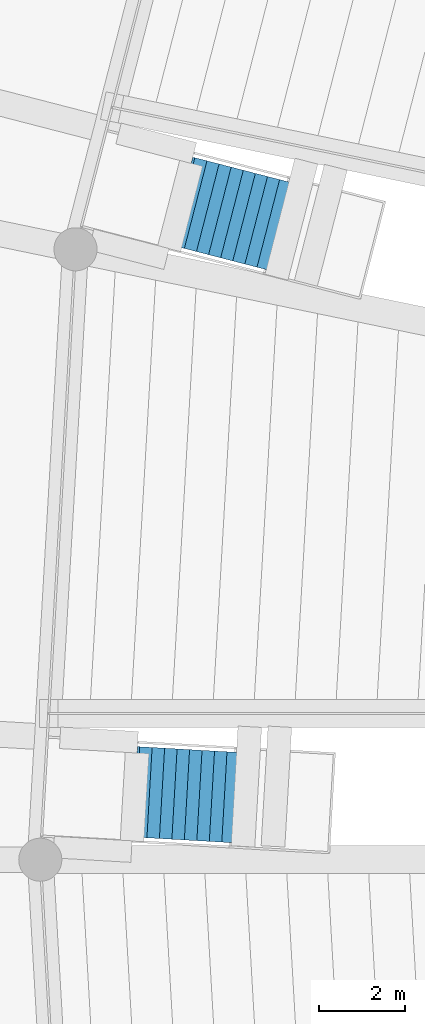
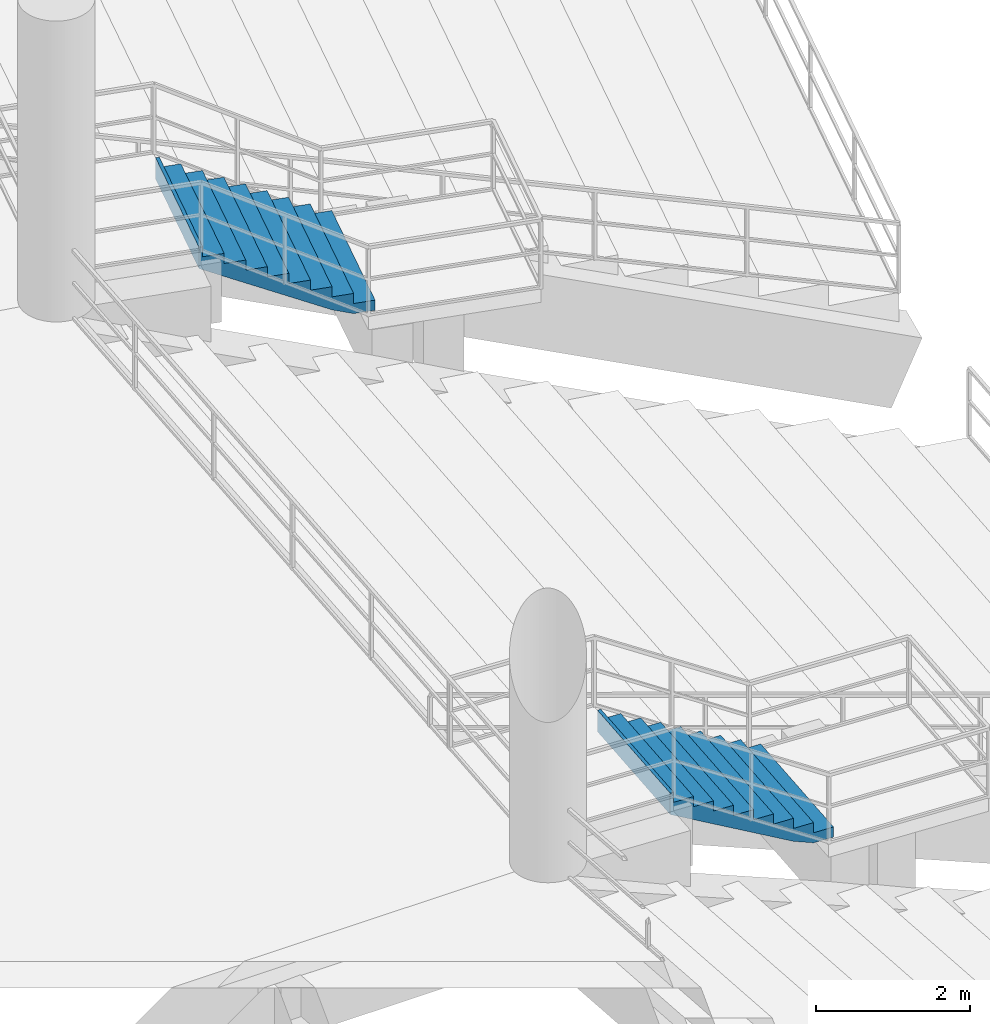
# One storey, part 124 of 156: 2 stair flights, 2 elements without a shape of their own.
"""IFC4 building model written with IfcOpenShell, lengths in metres."""

import ifcopenshell
import ifcopenshell.guid

model = None  # the IFC model being written
_history = None  # IfcOwnerHistory: only IFC2X3 demands one
_inside = {}  # id of a spatial element -> (the spatial element, [elements in it])
_under = {}  # id of a project, library or spatial element -> (it, [spatial elements below it])
_declared = {}  # id of a project -> (the project, [libraries it declares])
_typed = {}  # id of a type object -> (the type object, [elements of that type])
_made_of = {}  # id of a material, layer set ... -> (it, [elements and type objects made of it])


def new_model(schema):
    """Start an empty IFC model of exactly this schema.

    Asked for "IFC4X3", IfcOpenShell would pick the latest addendum, in which some entities
    have other attributes; the version numbers below select the first issue.
    IFC2X3 requires an IfcOwnerHistory on every rooted entity: one is made here for all.
    """
    global model, _history
    if schema == "IFC4X3":
        model = ifcopenshell.file(schema_version=(4, 3, 0, 0))
    else:
        model = ifcopenshell.file(schema=schema)
    _inside.clear()
    _under.clear()
    _declared.clear()
    _typed.clear()
    _made_of.clear()
    _history = None
    if model.schema == "IFC2X3":
        org = make("IfcOrganization", Name="unknown")
        user = make(
            "IfcPersonAndOrganization",
            ThePerson=make("IfcPerson", FamilyName="unknown"),
            TheOrganization=org,
        )
        app = make(
            "IfcApplication",
            ApplicationDeveloper=org,
            Version="unknown",
            ApplicationFullName="unknown",
            ApplicationIdentifier="unknown",
        )
        _history = make(
            "IfcOwnerHistory",
            OwningUser=user,
            OwningApplication=app,
            ChangeAction="ADDED",
            CreationDate=0,
        )
    return model


def make(cls, **values):
    """One entity of the class cls with the attributes given. An attribute that is None is left unset."""
    return model.create_entity(
        cls, **{name: value for name, value in values.items() if value is not None}
    )


def rooted(cls, **values):
    """An entity with a GlobalId (a new one), such as an element, a storey or a relation."""
    return make(cls, GlobalId=ifcopenshell.guid.new(), OwnerHistory=_history, **values)


def si_unit(unit_type, name, prefix=None):
    """IfcSIUnit, for example si_unit("LENGTHUNIT", "METRE", prefix="MILLI")."""
    return make("IfcSIUnit", UnitType=unit_type, Prefix=prefix, Name=name)


def assignment(units):
    """IfcUnitAssignment: the units of a project."""
    return None if units is None else make("IfcUnitAssignment", Units=units)


def point(xyz):
    """IfcCartesianPoint."""
    return None if xyz is None else make("IfcCartesianPoint", Coordinates=xyz)


def direction(xyz):
    """IfcDirection."""
    return None if xyz is None else make("IfcDirection", DirectionRatios=xyz)


def frame(location, z_axis=None, x_axis=None):
    """IfcAxis2Placement3D, a coordinate frame: its origin and axes. An axis left out is left unset."""
    return make(
        "IfcAxis2Placement3D",
        Location=point(location),
        Axis=direction(z_axis),
        RefDirection=direction(x_axis),
    )


def origin():
    """The frame at (0, 0, 0) with its axes left unset."""
    return frame((0.0, 0.0, 0.0))


def place(relative_to, where):
    """IfcLocalPlacement: puts the frame where relative to a parent placement (None: the world)."""
    return make(
        "IfcLocalPlacement", PlacementRelTo=relative_to, RelativePlacement=where
    )


def context(
    kind, dimensions, precision=None, world=None, true_north=None, identifier=None
):
    """IfcGeometricRepresentationContext, for example the 3D "Model" context."""
    return make(
        "IfcGeometricRepresentationContext",
        ContextIdentifier=identifier,
        ContextType=kind,
        CoordinateSpaceDimension=dimensions,
        Precision=precision,
        WorldCoordinateSystem=world,
        TrueNorth=true_north,
    )


def subcontext(parent, identifier, kind, view, scale=None):
    """IfcGeometricRepresentationSubContext, for example "Body" below "Model"."""
    return make(
        "IfcGeometricRepresentationSubContext",
        ContextIdentifier=identifier,
        ContextType=kind,
        ParentContext=parent,
        TargetScale=scale,
        TargetView=view,
    )


def project(units=None, contexts=None):
    """IfcProject with its units and contexts."""
    return rooted(
        "IfcProject",
        Name="project",
        RepresentationContexts=contexts,
        UnitsInContext=assignment(units),
    )


def spatial(cls, under=None, at=None, **own):
    """A site, building, storey or space (cls), placed at a placement, below another one or the project."""
    s = rooted(cls, ObjectPlacement=at, **own)
    if under is not None:
        _under.setdefault(under.id(), (under, []))[1].append(s)
    return s


def point_list(points):
    """IfcCartesianPointList2D or 3D."""
    cls = (
        "IfcCartesianPointList2D" if len(points[0]) == 2 else "IfcCartesianPointList3D"
    )
    return make(cls, CoordList=points)


def polygons(points, faces, closed=None, point_numbers=None):
    """IfcPolygonalFaceSet: a face is its outer loop, then its inner loops; points numbered from 1."""
    made = []
    for loops in faces:
        if len(loops) == 1:
            made.append(make("IfcIndexedPolygonalFace", CoordIndex=loops[0]))
        else:
            made.append(
                make(
                    "IfcIndexedPolygonalFaceWithVoids",
                    CoordIndex=loops[0],
                    InnerCoordIndices=loops[1:],
                )
            )
    return make(
        "IfcPolygonalFaceSet",
        Coordinates=point_list(points),
        Closed=closed,
        Faces=made,
        PnIndex=point_numbers,
    )


def shape(context_of_items, identifier, shape_type, items):
    """IfcShapeRepresentation: the items that make up one representation, for example the "Body"."""
    return make(
        "IfcShapeRepresentation",
        ContextOfItems=context_of_items,
        RepresentationIdentifier=identifier,
        RepresentationType=shape_type,
        Items=items,
    )


def material(Name=None, Category=None):
    """IfcMaterial."""
    return make("IfcMaterial", Name=Name, Category=Category)


def made_of(thing, what):
    """Note that an element or type object is made of a material, layer set ...; save() writes the relation."""
    if what is not None:
        _made_of.setdefault(what.id(), (what, []))[1].append(thing)
    return thing


def type_object(cls, material=None, **own):
    """A type object (cls), such as IfcWallType, which elements share."""
    return made_of(rooted(cls, **own), material)


def element(
    cls,
    number,
    at=None,
    inside=None,
    cuts=None,
    type_object=None,
    material=None,
    context=None,
    identifier="Body",
    shape_type=None,
    held_by="IfcProductDefinitionShape",
    body=None,
    shapes=None,
    **own,
):
    """One element of the class cls, such as IfcWall. Its Tag is "e" and its number.

    at: its placement. inside: the storey or other place that contains it. cuts: it is an
    opening in that element (IfcRelVoidsElement). A single representation is given by context,
    identifier, shape_type and body (its items); several are given by shapes. held_by: the class
    of the entity that holds the representations. save() writes the other relations.
    """
    e = rooted(cls, Tag="e%d" % number, ObjectPlacement=at, **own)
    if body is not None:
        shapes = [shape(context, identifier, shape_type, body)]
    if shapes is not None:
        e.Representation = make(held_by, Representations=shapes)
    if inside is not None:
        _inside.setdefault(inside.id(), (inside, []))[1].append(e)
    if cuts is not None:
        rooted(
            "IfcRelVoidsElement", RelatingBuildingElement=cuts, RelatedOpeningElement=e
        )
    if type_object is not None:
        _typed.setdefault(type_object.id(), (type_object, []))[1].append(e)
    return made_of(e, material)


def aggregate(whole, parts):
    """IfcRelAggregates: a whole, such as a stair, and the parts it consists of."""
    return rooted("IfcRelAggregates", RelatingObject=whole, RelatedObjects=parts)


def save(model, path):
    """Write the relations noted so far, then the file.

    IfcRelAggregates (storeys below a building ...), IfcRelContainedInSpatialStructure (elements
    in a storey), IfcRelDefinesByType, IfcRelAssociatesMaterial and IfcRelDeclares: one each for
    every whole, place, type object, material and project.
    """
    for whole, parts in _under.values():
        aggregate(whole, parts)
    for where, things in _inside.values():
        rooted(
            "IfcRelContainedInSpatialStructure",
            RelatedElements=things,
            RelatingStructure=where,
        )
    for kind, things in _typed.values():
        rooted("IfcRelDefinesByType", RelatedObjects=things, RelatingType=kind)
    for what, things in _made_of.values():
        rooted("IfcRelAssociatesMaterial", RelatedObjects=things, RelatingMaterial=what)
    for by, libraries in _declared.values():
        rooted("IfcRelDeclares", RelatingContext=by, RelatedDefinitions=libraries)
    model.write(path)


model = new_model("IFC4")

# Units and contexts
model_context = context("Model", 3, precision=1e-05, world=origin(), true_north=direction((0.0, 1.0)))
body_context = subcontext(model_context, "Body", "Model", "MODEL_VIEW")
ifc_project = project(units=[si_unit("LENGTHUNIT", "METRE"), si_unit("AREAUNIT", "SQUARE_METRE"), si_unit("VOLUMEUNIT", "CUBIC_METRE"), si_unit("PLANEANGLEUNIT", "RADIAN"), si_unit("MASSUNIT", "GRAM", prefix="KILO")], contexts=[model_context])

# Site, building, storey
site_placement = place(None, origin())
site = spatial("IfcSite", under=ifc_project, at=site_placement, CompositionType="ELEMENT")
building_placement = place(site_placement, origin())
building = spatial("IfcBuilding", under=site, at=building_placement, Name="Kazemori Nagisa Stadium", CompositionType="ELEMENT")
storey_placement = place(building_placement, frame((0.0, 0.0, 5.780029296875)))
storey = spatial("IfcBuildingStorey", under=building, at=storey_placement, Name="L01", CompositionType="ELEMENT", Elevation=5.780029296875)

# Stair, stair flight
ifc_material = material(Name="Concrete C36/45 (Fc36)", Category="concrete")
stair_type = type_object("IfcStairType", Name="Stair_VOM_VL", PredefinedType="STRAIGHT_RUN_STAIR", material=ifc_material)
stair_1_placement = place(storey_placement, origin())
stair_1 = element("IfcStair", 1, at=stair_1_placement, inside=storey, type_object=stair_type, Name="Vomitory stair lower VL05", PredefinedType="STRAIGHT_RUN_STAIR")
stair_flight_type = type_object("IfcStairFlightType", Name="Flight_VOM_VL", PredefinedType="STRAIGHT", material=ifc_material)
stair_flight_1_placement = place(storey_placement, frame((59.219970703125, 116.68896484375, -1.43994140625), z_axis=(0.0, 0.0, 1.0), x_axis=(-0.968237888229, 0.250030781701, 0.0)))
stair_flight_1 = element("IfcStairFlight", 2, at=stair_flight_1_placement, type_object=stair_flight_type, Name="Vomitory stair lower VL05 flight", NumberOfRisers=9, NumberOfTreads=8, PredefinedType="STRAIGHT", RiserHeight=0.16, TreadLength=0.29, context=body_context, shape_type="Tessellation", body=[
    polygons([(0.0, -1.050048828125, 0.0), (0.0, -1.050048828125, 0.159912109375), (0.2900390625, -1.050048828125, 0.159912109375), (0.2900390625, -1.050048828125, 0.320068359375), (0.580078125, -1.050048828125, 0.320068359375), (0.580078125, -1.050048828125, 0.47998046875), (0.8701171875, -1.050048828125, 0.47998046875), (0.8701171875, -1.050048828125, 0.639892578125), (1.159912109375, -1.050048828125, 0.639892578125), (1.159912109375, -1.050048828125, 0.800048828125), (1.449951171875, -1.050048828125, 0.800048828125), (1.449951171875, -1.050048828125, 0.9599609375), (1.739990234375, -1.050048828125, 0.9599609375), (1.739990234375, -1.050048828125, 1.1201171875), (2.030029296875, -1.050048828125, 1.1201171875), (2.030029296875, -1.050048828125, 1.280029296875), (2.320068359375, -1.050048828125, 1.280029296875), (2.320068359375, -1.050048828125, 1.43994140625), (2.3701171875, -1.050048828125, 1.43994140625), (2.3701171875, -1.050048828125, 1.10205078125), (2.320068359375, -1.050048828125, 1.074462890625), (2.030029296875, -1.050048828125, 0.91455078125), (1.739990234375, -1.050048828125, 0.75439453125), (1.449951171875, -1.050048828125, 0.594482421875), (1.159912109375, -1.050048828125, 0.4345703125), (0.8701171875, -1.050048828125, 0.2744140625), (0.580078125, -1.050048828125, 0.114501953125), (0.2900390625, -1.050048828125, 0.0), (0.0, -0.06298828125, 0.0), (0.0, -0.06298828125, 0.159912109375), (0.2900390625, -0.06298828125, 0.159912109375), (0.2900390625, -0.06298828125, 0.320068359375), (0.580078125, -0.06298828125, 0.320068359375), (0.580078125, -0.06298828125, 0.47998046875), (0.8701171875, -0.06298828125, 0.47998046875), (0.8701171875, -0.06298828125, 0.639892578125), (1.159912109375, -0.06298828125, 0.639892578125), (1.159912109375, -0.06298828125, 0.800048828125), (1.449951171875, -0.06298828125, 0.800048828125), (1.449951171875, -0.06298828125, 0.9599609375), (1.739990234375, -0.06298828125, 0.9599609375), (1.739990234375, -0.06298828125, 1.1201171875), (2.030029296875, -0.06298828125, 1.1201171875), (2.030029296875, -0.06298828125, 1.280029296875), (2.320068359375, -0.06298828125, 1.280029296875), (2.320068359375, -0.06298828125, 1.43994140625), (2.3701171875, -0.06298828125, 1.43994140625), (2.3701171875, -0.06298828125, 1.10205078125), (2.320068359375, -0.06298828125, 1.074462890625), (2.030029296875, -0.06298828125, 0.91455078125), (1.739990234375, -0.06298828125, 0.75439453125), (1.449951171875, -0.06298828125, 0.594482421875), (1.159912109375, -0.06298828125, 0.4345703125), (0.8701171875, -0.06298828125, 0.2744140625), (0.580078125, -0.06298828125, 0.114501953125), (0.2900390625, -0.06298828125, 0.0), (0.0, 0.0, 0.0), (0.0, 0.0, 0.159912109375), (0.2900390625, 0.0, 0.159912109375), (0.2900390625, 0.0, 0.320068359375), (0.580078125, 0.0, 0.320068359375), (0.580078125, 0.0, 0.47998046875), (0.8701171875, 0.0, 0.47998046875), (0.8701171875, 0.0, 0.639892578125), (1.159912109375, 0.0, 0.639892578125), (1.159912109375, 0.0, 0.800048828125), (1.449951171875, 0.0, 0.800048828125), (1.449951171875, 0.0, 0.9599609375), (1.739990234375, 0.0, 0.9599609375), (1.739990234375, 0.0, 1.1201171875), (2.030029296875, 0.0, 1.1201171875), (2.030029296875, 0.0, 1.280029296875), (2.320068359375, 0.0, 1.280029296875), (2.320068359375, 0.0, 1.43994140625), (2.3701171875, 0.0, 1.43994140625), (2.3701171875, 0.0, 1.10205078125), (2.320068359375, 0.0, 1.074462890625), (2.030029296875, 0.0, 0.91455078125), (1.739990234375, 0.0, 0.75439453125), (1.449951171875, 0.0, 0.594482421875), (1.159912109375, 0.0, 0.4345703125), (0.8701171875, 0.0, 0.2744140625), (0.580078125, 0.0, 0.114501953125), (0.2900390625, 0.0, 0.0), (0.0, 0.06298828125, 0.0), (0.0, 0.06298828125, 0.159912109375), (0.2900390625, 0.06298828125, 0.159912109375), (0.2900390625, 0.06298828125, 0.320068359375), (0.580078125, 0.06298828125, 0.320068359375), (0.580078125, 0.06298828125, 0.47998046875), (0.8701171875, 0.06298828125, 0.47998046875), (0.8701171875, 0.06298828125, 0.639892578125), (1.159912109375, 0.06298828125, 0.639892578125), (1.159912109375, 0.06298828125, 0.800048828125), (1.449951171875, 0.06298828125, 0.800048828125), (1.449951171875, 0.06298828125, 0.9599609375), (1.739990234375, 0.06298828125, 0.9599609375), (1.739990234375, 0.06298828125, 1.1201171875), (2.030029296875, 0.06298828125, 1.1201171875), (2.030029296875, 0.06298828125, 1.280029296875), (2.320068359375, 0.06298828125, 1.280029296875), (2.320068359375, 0.06298828125, 1.43994140625), (2.3701171875, 0.06298828125, 1.43994140625), (2.3701171875, 0.06298828125, 1.10205078125), (2.320068359375, 0.06298828125, 1.074462890625), (2.030029296875, 0.06298828125, 0.91455078125), (1.739990234375, 0.06298828125, 0.75439453125), (1.449951171875, 0.06298828125, 0.594482421875), (1.159912109375, 0.06298828125, 0.4345703125), (0.8701171875, 0.06298828125, 0.2744140625), (0.580078125, 0.06298828125, 0.114501953125), (0.2900390625, 0.06298828125, 0.0), (0.0, 1.050048828125, 0.0), (0.0, 1.050048828125, 0.159912109375), (0.2900390625, 1.050048828125, 0.159912109375), (0.2900390625, 1.050048828125, 0.320068359375), (0.580078125, 1.050048828125, 0.320068359375), (0.580078125, 1.050048828125, 0.47998046875), (0.8701171875, 1.050048828125, 0.47998046875), (0.8701171875, 1.050048828125, 0.639892578125), (1.159912109375, 1.050048828125, 0.639892578125), (1.159912109375, 1.050048828125, 0.800048828125), (1.449951171875, 1.050048828125, 0.800048828125), (1.449951171875, 1.050048828125, 0.9599609375), (1.739990234375, 1.050048828125, 0.9599609375), (1.739990234375, 1.050048828125, 1.1201171875), (2.030029296875, 1.050048828125, 1.1201171875), (2.030029296875, 1.050048828125, 1.280029296875), (2.320068359375, 1.050048828125, 1.280029296875), (2.320068359375, 1.050048828125, 1.43994140625), (2.3701171875, 1.050048828125, 1.43994140625), (2.3701171875, 1.050048828125, 1.10205078125), (2.320068359375, 1.050048828125, 1.074462890625), (2.030029296875, 1.050048828125, 0.91455078125), (1.739990234375, 1.050048828125, 0.75439453125), (1.449951171875, 1.050048828125, 0.594482421875), (1.159912109375, 1.050048828125, 0.4345703125), (0.8701171875, 1.050048828125, 0.2744140625), (0.580078125, 1.050048828125, 0.114501953125), (0.2900390625, 1.050048828125, 0.0)], [[[1, 2, 30]], [[1, 30, 29]], [[2, 3, 31]], [[2, 31, 30]], [[3, 4, 32]], [[3, 32, 31]], [[4, 5, 33]], [[4, 33, 32]], [[5, 6, 34]], [[5, 34, 33]], [[6, 7, 35]], [[6, 35, 34]], [[7, 8, 36]], [[7, 36, 35]], [[8, 9, 37]], [[8, 37, 36]], [[9, 10, 38]], [[9, 38, 37]], [[10, 11, 39]], [[10, 39, 38]], [[11, 12, 40]], [[11, 40, 39]], [[12, 13, 41]], [[12, 41, 40]], [[13, 14, 42]], [[13, 42, 41]], [[14, 15, 43]], [[14, 43, 42]], [[15, 16, 44]], [[15, 44, 43]], [[16, 17, 45]], [[16, 45, 44]], [[17, 18, 46]], [[17, 46, 45]], [[18, 19, 47]], [[18, 47, 46]], [[19, 20, 48]], [[19, 48, 47]], [[20, 21, 49]], [[20, 49, 48]], [[21, 22, 50]], [[21, 50, 49]], [[22, 23, 51]], [[22, 51, 50]], [[23, 24, 52]], [[23, 52, 51]], [[24, 25, 53]], [[24, 53, 52]], [[25, 26, 54]], [[25, 54, 53]], [[26, 27, 55]], [[26, 55, 54]], [[27, 28, 56]], [[27, 56, 55]], [[28, 1, 29]], [[28, 29, 56]], [[29, 30, 58]], [[29, 58, 57]], [[30, 31, 59]], [[30, 59, 58]], [[31, 32, 60]], [[31, 60, 59]], [[32, 33, 61]], [[32, 61, 60]], [[33, 34, 62]], [[33, 62, 61]], [[34, 35, 63]], [[34, 63, 62]], [[35, 36, 64]], [[35, 64, 63]], [[36, 37, 65]], [[36, 65, 64]], [[37, 38, 66]], [[37, 66, 65]], [[38, 39, 67]], [[38, 67, 66]], [[39, 40, 68]], [[39, 68, 67]], [[40, 41, 69]], [[40, 69, 68]], [[41, 42, 70]], [[41, 70, 69]], [[42, 43, 71]], [[42, 71, 70]], [[43, 44, 72]], [[43, 72, 71]], [[44, 45, 73]], [[44, 73, 72]], [[45, 46, 74]], [[45, 74, 73]], [[46, 47, 75]], [[46, 75, 74]], [[47, 48, 76]], [[47, 76, 75]], [[48, 49, 77]], [[48, 77, 76]], [[49, 50, 78]], [[49, 78, 77]], [[50, 51, 79]], [[50, 79, 78]], [[51, 52, 80]], [[51, 80, 79]], [[52, 53, 81]], [[52, 81, 80]], [[53, 54, 82]], [[53, 82, 81]], [[54, 55, 83]], [[54, 83, 82]], [[55, 56, 84]], [[55, 84, 83]], [[56, 29, 57]], [[56, 57, 84]], [[57, 58, 86]], [[57, 86, 85]], [[58, 59, 87]], [[58, 87, 86]], [[59, 60, 88]], [[59, 88, 87]], [[60, 61, 89]], [[60, 89, 88]], [[61, 62, 90]], [[61, 90, 89]], [[62, 63, 91]], [[62, 91, 90]], [[63, 64, 92]], [[63, 92, 91]], [[64, 65, 93]], [[64, 93, 92]], [[65, 66, 94]], [[65, 94, 93]], [[66, 67, 95]], [[66, 95, 94]], [[67, 68, 96]], [[67, 96, 95]], [[68, 69, 97]], [[68, 97, 96]], [[69, 70, 98]], [[69, 98, 97]], [[70, 71, 99]], [[70, 99, 98]], [[71, 72, 100]], [[71, 100, 99]], [[72, 73, 101]], [[72, 101, 100]], [[73, 74, 102]], [[73, 102, 101]], [[74, 75, 103]], [[74, 103, 102]], [[75, 76, 104]], [[75, 104, 103]], [[76, 77, 105]], [[76, 105, 104]], [[77, 78, 106]], [[77, 106, 105]], [[78, 79, 107]], [[78, 107, 106]], [[79, 80, 108]], [[79, 108, 107]], [[80, 81, 109]], [[80, 109, 108]], [[81, 82, 110]], [[81, 110, 109]], [[82, 83, 111]], [[82, 111, 110]], [[83, 84, 112]], [[83, 112, 111]], [[84, 57, 85]], [[84, 85, 112]], [[85, 86, 114]], [[85, 114, 113]], [[86, 87, 115]], [[86, 115, 114]], [[87, 88, 116]], [[87, 116, 115]], [[88, 89, 117]], [[88, 117, 116]], [[89, 90, 118]], [[89, 118, 117]], [[90, 91, 119]], [[90, 119, 118]], [[91, 92, 120]], [[91, 120, 119]], [[92, 93, 121]], [[92, 121, 120]], [[93, 94, 122]], [[93, 122, 121]], [[94, 95, 123]], [[94, 123, 122]], [[95, 96, 124]], [[95, 124, 123]], [[96, 97, 125]], [[96, 125, 124]], [[97, 98, 126]], [[97, 126, 125]], [[98, 99, 127]], [[98, 127, 126]], [[99, 100, 128]], [[99, 128, 127]], [[100, 101, 129]], [[100, 129, 128]], [[101, 102, 130]], [[101, 130, 129]], [[102, 103, 131]], [[102, 131, 130]], [[103, 104, 132]], [[103, 132, 131]], [[104, 105, 133]], [[104, 133, 132]], [[105, 106, 134]], [[105, 134, 133]], [[106, 107, 135]], [[106, 135, 134]], [[107, 108, 136]], [[107, 136, 135]], [[108, 109, 137]], [[108, 137, 136]], [[109, 110, 138]], [[109, 138, 137]], [[110, 111, 139]], [[110, 139, 138]], [[111, 112, 140]], [[111, 140, 139]], [[112, 85, 113]], [[112, 113, 140]], [[3, 2, 1]], [[113, 114, 115]], [[28, 3, 1]], [[113, 115, 140]], [[27, 3, 28]], [[140, 115, 139]], [[5, 3, 27]], [[139, 115, 117]], [[5, 4, 3]], [[115, 116, 117]], [[26, 5, 27]], [[139, 117, 138]], [[7, 5, 26]], [[138, 117, 119]], [[7, 6, 5]], [[117, 118, 119]], [[25, 7, 26]], [[138, 119, 137]], [[9, 7, 25]], [[137, 119, 121]], [[9, 8, 7]], [[119, 120, 121]], [[24, 9, 25]], [[137, 121, 136]], [[11, 9, 24]], [[136, 121, 123]], [[11, 10, 9]], [[121, 122, 123]], [[23, 11, 24]], [[136, 123, 135]], [[13, 11, 23]], [[135, 123, 125]], [[13, 12, 11]], [[123, 124, 125]], [[22, 13, 23]], [[135, 125, 134]], [[15, 13, 22]], [[134, 125, 127]], [[15, 14, 13]], [[125, 126, 127]], [[21, 15, 22]], [[134, 127, 133]], [[17, 15, 21]], [[133, 127, 129]], [[17, 16, 15]], [[127, 128, 129]], [[20, 17, 21]], [[133, 129, 132]], [[19, 17, 20]], [[132, 129, 131]], [[19, 18, 17]], [[129, 130, 131]]], closed=True),
])
aggregate(stair_1, [stair_flight_1])

stair_2_placement = place(storey_placement, origin())
stair_2 = element("IfcStair", 3, at=stair_2_placement, inside=storey, type_object=stair_type, Name="Vomitory stair lower VL06", PredefinedType="STRAIGHT_RUN_STAIR")
stair_flight_2_placement = place(storey_placement, frame((58.21044921875, 103.439697265625, -1.43994140625), z_axis=(0.0, 0.0, 1.0), x_axis=(-0.998341919289, 0.057562246216, 0.0)))
stair_flight_2 = element("IfcStairFlight", 4, at=stair_flight_2_placement, type_object=stair_flight_type, Name="Vomitory stair lower VL06 flight", NumberOfRisers=9, NumberOfTreads=8, PredefinedType="STRAIGHT", RiserHeight=0.16, TreadLength=0.29, context=body_context, shape_type="Tessellation", body=[
    polygons([(0.0, -1.050048828125, 0.0), (0.0, -1.050048828125, 0.159912109375), (0.2900390625, -1.050048828125, 0.159912109375), (0.2900390625, -1.050048828125, 0.320068359375), (0.580078125, -1.050048828125, 0.320068359375), (0.580078125, -1.050048828125, 0.47998046875), (0.8701171875, -1.050048828125, 0.47998046875), (0.8701171875, -1.050048828125, 0.639892578125), (1.159912109375, -1.050048828125, 0.639892578125), (1.159912109375, -1.050048828125, 0.800048828125), (1.449951171875, -1.050048828125, 0.800048828125), (1.449951171875, -1.050048828125, 0.9599609375), (1.739990234375, -1.050048828125, 0.9599609375), (1.739990234375, -1.050048828125, 1.1201171875), (2.030029296875, -1.050048828125, 1.1201171875), (2.030029296875, -1.050048828125, 1.280029296875), (2.320068359375, -1.050048828125, 1.280029296875), (2.320068359375, -1.050048828125, 1.43994140625), (2.3701171875, -1.050048828125, 1.43994140625), (2.3701171875, -1.050048828125, 1.10205078125), (2.320068359375, -1.050048828125, 1.074462890625), (2.030029296875, -1.050048828125, 0.91455078125), (1.739990234375, -1.050048828125, 0.75439453125), (1.449951171875, -1.050048828125, 0.594482421875), (1.159912109375, -1.050048828125, 0.4345703125), (0.8701171875, -1.050048828125, 0.2744140625), (0.580078125, -1.050048828125, 0.114501953125), (0.2900390625, -1.050048828125, 0.0), (0.0, -0.06298828125, 0.0), (0.0, -0.06298828125, 0.159912109375), (0.2900390625, -0.06298828125, 0.159912109375), (0.2900390625, -0.06298828125, 0.320068359375), (0.580078125, -0.06298828125, 0.320068359375), (0.580078125, -0.06298828125, 0.47998046875), (0.8701171875, -0.06298828125, 0.47998046875), (0.8701171875, -0.06298828125, 0.639892578125), (1.159912109375, -0.06298828125, 0.639892578125), (1.159912109375, -0.06298828125, 0.800048828125), (1.449951171875, -0.06298828125, 0.800048828125), (1.449951171875, -0.06298828125, 0.9599609375), (1.739990234375, -0.06298828125, 0.9599609375), (1.739990234375, -0.06298828125, 1.1201171875), (2.030029296875, -0.06298828125, 1.1201171875), (2.030029296875, -0.06298828125, 1.280029296875), (2.320068359375, -0.06298828125, 1.280029296875), (2.320068359375, -0.06298828125, 1.43994140625), (2.3701171875, -0.06298828125, 1.43994140625), (2.3701171875, -0.06298828125, 1.10205078125), (2.320068359375, -0.06298828125, 1.074462890625), (2.030029296875, -0.06298828125, 0.91455078125), (1.739990234375, -0.06298828125, 0.75439453125), (1.449951171875, -0.06298828125, 0.594482421875), (1.159912109375, -0.06298828125, 0.4345703125), (0.8701171875, -0.06298828125, 0.2744140625), (0.580078125, -0.06298828125, 0.114501953125), (0.2900390625, -0.06298828125, 0.0), (0.0, 0.0, 0.0), (0.0, 0.0, 0.159912109375), (0.2900390625, 0.0, 0.159912109375), (0.2900390625, 0.0, 0.320068359375), (0.580078125, 0.0, 0.320068359375), (0.580078125, 0.0, 0.47998046875), (0.8701171875, 0.0, 0.47998046875), (0.8701171875, 0.0, 0.639892578125), (1.159912109375, 0.0, 0.639892578125), (1.159912109375, 0.0, 0.800048828125), (1.449951171875, 0.0, 0.800048828125), (1.449951171875, 0.0, 0.9599609375), (1.739990234375, 0.0, 0.9599609375), (1.739990234375, 0.0, 1.1201171875), (2.030029296875, 0.0, 1.1201171875), (2.030029296875, 0.0, 1.280029296875), (2.320068359375, 0.0, 1.280029296875), (2.320068359375, 0.0, 1.43994140625), (2.3701171875, 0.0, 1.43994140625), (2.3701171875, 0.0, 1.10205078125), (2.320068359375, 0.0, 1.074462890625), (2.030029296875, 0.0, 0.91455078125), (1.739990234375, 0.0, 0.75439453125), (1.449951171875, 0.0, 0.594482421875), (1.159912109375, 0.0, 0.4345703125), (0.8701171875, 0.0, 0.2744140625), (0.580078125, 0.0, 0.114501953125), (0.2900390625, 0.0, 0.0), (0.0, 0.06298828125, 0.0), (0.0, 0.06298828125, 0.159912109375), (0.2900390625, 0.06298828125, 0.159912109375), (0.2900390625, 0.06298828125, 0.320068359375), (0.580078125, 0.06298828125, 0.320068359375), (0.580078125, 0.06298828125, 0.47998046875), (0.8701171875, 0.06298828125, 0.47998046875), (0.8701171875, 0.06298828125, 0.639892578125), (1.159912109375, 0.06298828125, 0.639892578125), (1.159912109375, 0.06298828125, 0.800048828125), (1.449951171875, 0.06298828125, 0.800048828125), (1.449951171875, 0.06298828125, 0.9599609375), (1.739990234375, 0.06298828125, 0.9599609375), (1.739990234375, 0.06298828125, 1.1201171875), (2.030029296875, 0.06298828125, 1.1201171875), (2.030029296875, 0.06298828125, 1.280029296875), (2.320068359375, 0.06298828125, 1.280029296875), (2.320068359375, 0.06298828125, 1.43994140625), (2.3701171875, 0.06298828125, 1.43994140625), (2.3701171875, 0.06298828125, 1.10205078125), (2.320068359375, 0.06298828125, 1.074462890625), (2.030029296875, 0.06298828125, 0.91455078125), (1.739990234375, 0.06298828125, 0.75439453125), (1.449951171875, 0.06298828125, 0.594482421875), (1.159912109375, 0.06298828125, 0.4345703125), (0.8701171875, 0.06298828125, 0.2744140625), (0.580078125, 0.06298828125, 0.114501953125), (0.2900390625, 0.06298828125, 0.0), (0.0, 1.050048828125, 0.0), (0.0, 1.050048828125, 0.159912109375), (0.2900390625, 1.050048828125, 0.159912109375), (0.2900390625, 1.050048828125, 0.320068359375), (0.580078125, 1.050048828125, 0.320068359375), (0.580078125, 1.050048828125, 0.47998046875), (0.8701171875, 1.050048828125, 0.47998046875), (0.8701171875, 1.050048828125, 0.639892578125), (1.159912109375, 1.050048828125, 0.639892578125), (1.159912109375, 1.050048828125, 0.800048828125), (1.449951171875, 1.050048828125, 0.800048828125), (1.449951171875, 1.050048828125, 0.9599609375), (1.739990234375, 1.050048828125, 0.9599609375), (1.739990234375, 1.050048828125, 1.1201171875), (2.030029296875, 1.050048828125, 1.1201171875), (2.030029296875, 1.050048828125, 1.280029296875), (2.320068359375, 1.050048828125, 1.280029296875), (2.320068359375, 1.050048828125, 1.43994140625), (2.3701171875, 1.050048828125, 1.43994140625), (2.3701171875, 1.050048828125, 1.10205078125), (2.320068359375, 1.050048828125, 1.074462890625), (2.030029296875, 1.050048828125, 0.91455078125), (1.739990234375, 1.050048828125, 0.75439453125), (1.449951171875, 1.050048828125, 0.594482421875), (1.159912109375, 1.050048828125, 0.4345703125), (0.8701171875, 1.050048828125, 0.2744140625), (0.580078125, 1.050048828125, 0.114501953125), (0.2900390625, 1.050048828125, 0.0)], [[[1, 2, 30]], [[1, 30, 29]], [[2, 3, 31]], [[2, 31, 30]], [[3, 4, 32]], [[3, 32, 31]], [[4, 5, 33]], [[4, 33, 32]], [[5, 6, 34]], [[5, 34, 33]], [[6, 7, 35]], [[6, 35, 34]], [[7, 8, 36]], [[7, 36, 35]], [[8, 9, 37]], [[8, 37, 36]], [[9, 10, 38]], [[9, 38, 37]], [[10, 11, 39]], [[10, 39, 38]], [[11, 12, 40]], [[11, 40, 39]], [[12, 13, 41]], [[12, 41, 40]], [[13, 14, 42]], [[13, 42, 41]], [[14, 15, 43]], [[14, 43, 42]], [[15, 16, 44]], [[15, 44, 43]], [[16, 17, 45]], [[16, 45, 44]], [[17, 18, 46]], [[17, 46, 45]], [[18, 19, 47]], [[18, 47, 46]], [[19, 20, 48]], [[19, 48, 47]], [[20, 21, 49]], [[20, 49, 48]], [[21, 22, 50]], [[21, 50, 49]], [[22, 23, 51]], [[22, 51, 50]], [[23, 24, 52]], [[23, 52, 51]], [[24, 25, 53]], [[24, 53, 52]], [[25, 26, 54]], [[25, 54, 53]], [[26, 27, 55]], [[26, 55, 54]], [[27, 28, 56]], [[27, 56, 55]], [[28, 1, 29]], [[28, 29, 56]], [[29, 30, 58]], [[29, 58, 57]], [[30, 31, 59]], [[30, 59, 58]], [[31, 32, 60]], [[31, 60, 59]], [[32, 33, 61]], [[32, 61, 60]], [[33, 34, 62]], [[33, 62, 61]], [[34, 35, 63]], [[34, 63, 62]], [[35, 36, 64]], [[35, 64, 63]], [[36, 37, 65]], [[36, 65, 64]], [[37, 38, 66]], [[37, 66, 65]], [[38, 39, 67]], [[38, 67, 66]], [[39, 40, 68]], [[39, 68, 67]], [[40, 41, 69]], [[40, 69, 68]], [[41, 42, 70]], [[41, 70, 69]], [[42, 43, 71]], [[42, 71, 70]], [[43, 44, 72]], [[43, 72, 71]], [[44, 45, 73]], [[44, 73, 72]], [[45, 46, 74]], [[45, 74, 73]], [[46, 47, 75]], [[46, 75, 74]], [[47, 48, 76]], [[47, 76, 75]], [[48, 49, 77]], [[48, 77, 76]], [[49, 50, 78]], [[49, 78, 77]], [[50, 51, 79]], [[50, 79, 78]], [[51, 52, 80]], [[51, 80, 79]], [[52, 53, 81]], [[52, 81, 80]], [[53, 54, 82]], [[53, 82, 81]], [[54, 55, 83]], [[54, 83, 82]], [[55, 56, 84]], [[55, 84, 83]], [[56, 29, 57]], [[56, 57, 84]], [[57, 58, 86]], [[57, 86, 85]], [[58, 59, 87]], [[58, 87, 86]], [[59, 60, 88]], [[59, 88, 87]], [[60, 61, 89]], [[60, 89, 88]], [[61, 62, 90]], [[61, 90, 89]], [[62, 63, 91]], [[62, 91, 90]], [[63, 64, 92]], [[63, 92, 91]], [[64, 65, 93]], [[64, 93, 92]], [[65, 66, 94]], [[65, 94, 93]], [[66, 67, 95]], [[66, 95, 94]], [[67, 68, 96]], [[67, 96, 95]], [[68, 69, 97]], [[68, 97, 96]], [[69, 70, 98]], [[69, 98, 97]], [[70, 71, 99]], [[70, 99, 98]], [[71, 72, 100]], [[71, 100, 99]], [[72, 73, 101]], [[72, 101, 100]], [[73, 74, 102]], [[73, 102, 101]], [[74, 75, 103]], [[74, 103, 102]], [[75, 76, 104]], [[75, 104, 103]], [[76, 77, 105]], [[76, 105, 104]], [[77, 78, 106]], [[77, 106, 105]], [[78, 79, 107]], [[78, 107, 106]], [[79, 80, 108]], [[79, 108, 107]], [[80, 81, 109]], [[80, 109, 108]], [[81, 82, 110]], [[81, 110, 109]], [[82, 83, 111]], [[82, 111, 110]], [[83, 84, 112]], [[83, 112, 111]], [[84, 57, 85]], [[84, 85, 112]], [[85, 86, 114]], [[85, 114, 113]], [[86, 87, 115]], [[86, 115, 114]], [[87, 88, 116]], [[87, 116, 115]], [[88, 89, 117]], [[88, 117, 116]], [[89, 90, 118]], [[89, 118, 117]], [[90, 91, 119]], [[90, 119, 118]], [[91, 92, 120]], [[91, 120, 119]], [[92, 93, 121]], [[92, 121, 120]], [[93, 94, 122]], [[93, 122, 121]], [[94, 95, 123]], [[94, 123, 122]], [[95, 96, 124]], [[95, 124, 123]], [[96, 97, 125]], [[96, 125, 124]], [[97, 98, 126]], [[97, 126, 125]], [[98, 99, 127]], [[98, 127, 126]], [[99, 100, 128]], [[99, 128, 127]], [[100, 101, 129]], [[100, 129, 128]], [[101, 102, 130]], [[101, 130, 129]], [[102, 103, 131]], [[102, 131, 130]], [[103, 104, 132]], [[103, 132, 131]], [[104, 105, 133]], [[104, 133, 132]], [[105, 106, 134]], [[105, 134, 133]], [[106, 107, 135]], [[106, 135, 134]], [[107, 108, 136]], [[107, 136, 135]], [[108, 109, 137]], [[108, 137, 136]], [[109, 110, 138]], [[109, 138, 137]], [[110, 111, 139]], [[110, 139, 138]], [[111, 112, 140]], [[111, 140, 139]], [[112, 85, 113]], [[112, 113, 140]], [[3, 2, 1]], [[113, 114, 115]], [[28, 3, 1]], [[113, 115, 140]], [[27, 3, 28]], [[140, 115, 139]], [[5, 3, 27]], [[139, 115, 117]], [[5, 4, 3]], [[115, 116, 117]], [[26, 5, 27]], [[139, 117, 138]], [[7, 5, 26]], [[138, 117, 119]], [[7, 6, 5]], [[117, 118, 119]], [[25, 7, 26]], [[138, 119, 137]], [[9, 7, 25]], [[137, 119, 121]], [[9, 8, 7]], [[119, 120, 121]], [[24, 9, 25]], [[137, 121, 136]], [[11, 9, 24]], [[136, 121, 123]], [[11, 10, 9]], [[121, 122, 123]], [[23, 11, 24]], [[136, 123, 135]], [[13, 11, 23]], [[135, 123, 125]], [[13, 12, 11]], [[123, 124, 125]], [[22, 13, 23]], [[135, 125, 134]], [[15, 13, 22]], [[134, 125, 127]], [[15, 14, 13]], [[125, 126, 127]], [[21, 15, 22]], [[134, 127, 133]], [[17, 15, 21]], [[133, 127, 129]], [[17, 16, 15]], [[127, 128, 129]], [[20, 17, 21]], [[133, 129, 132]], [[19, 17, 20]], [[132, 129, 131]], [[19, 18, 17]], [[129, 130, 131]]], closed=True),
])
aggregate(stair_2, [stair_flight_2])

save(model, "model.ifc")
